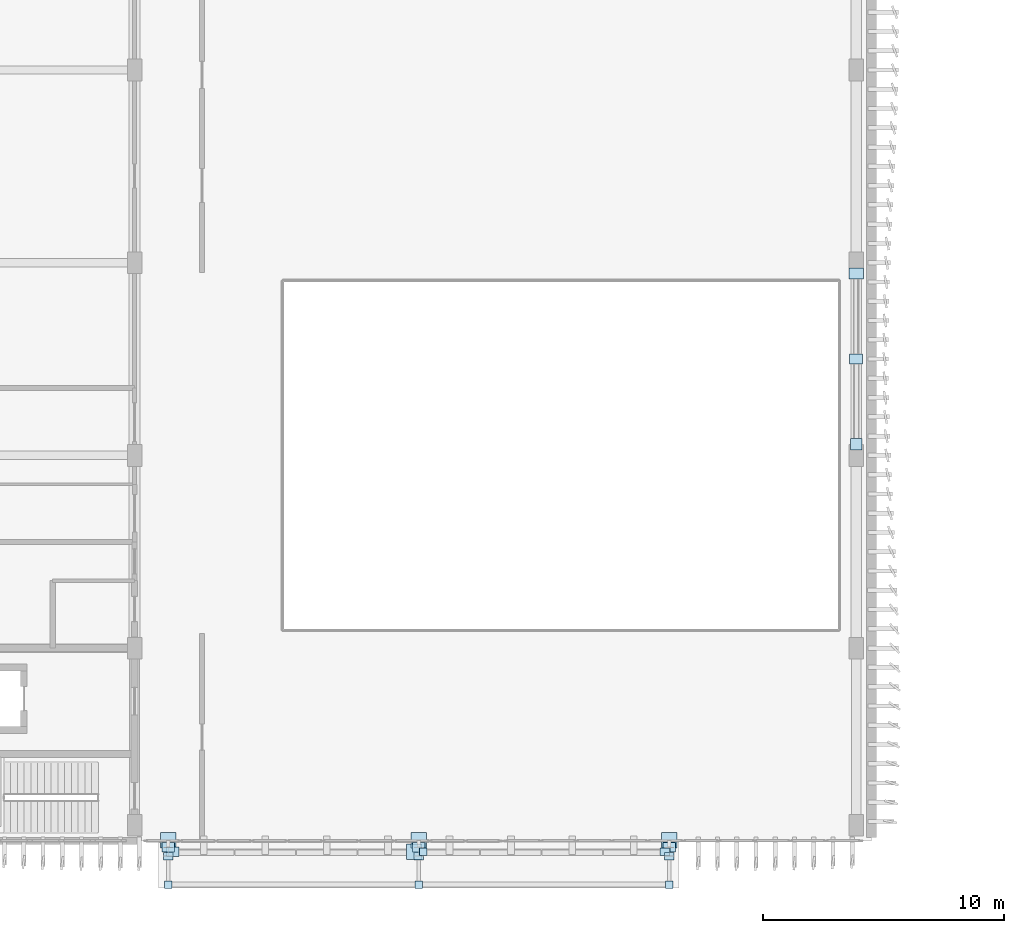
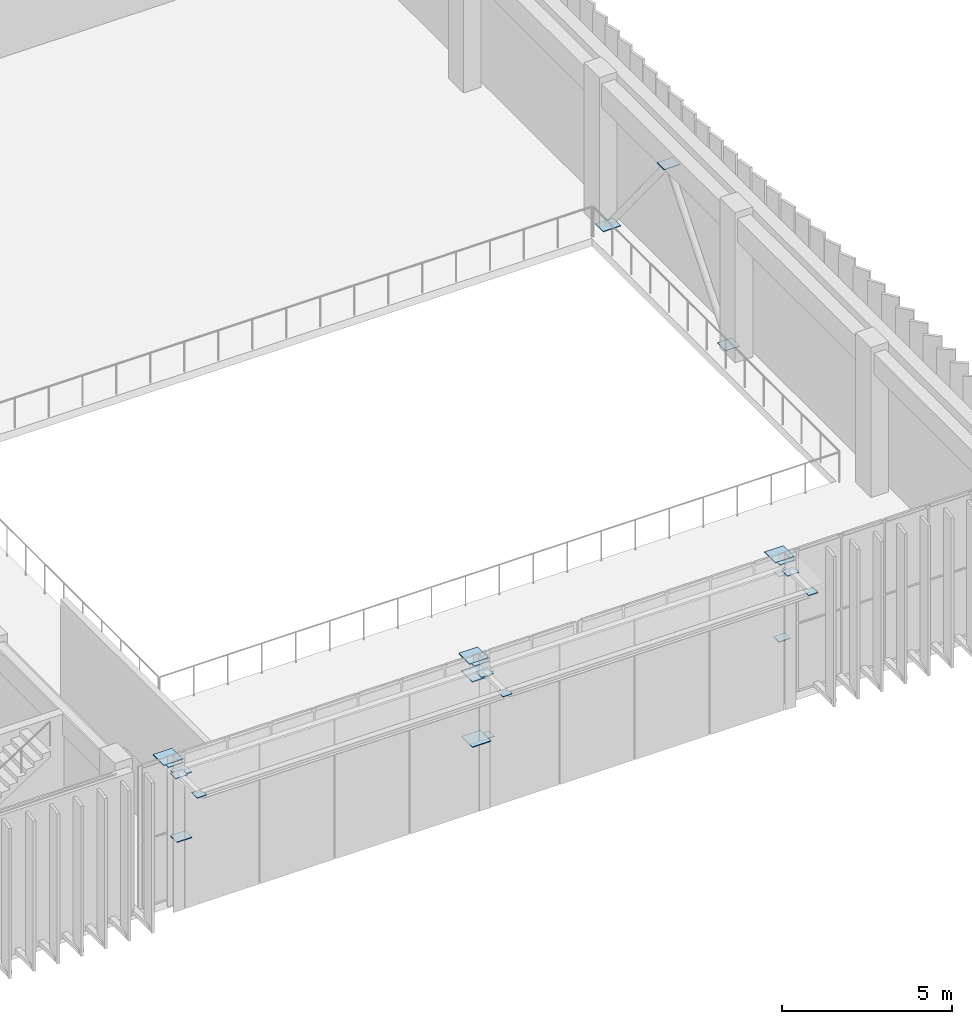
# One storey, part 35 of 64: 23 plates.
"""IFC4 building model written with IfcOpenShell, lengths in metres."""

import ifcopenshell
import ifcopenshell.guid

model = None  # the IFC model being written
_history = None  # IfcOwnerHistory: only IFC2X3 demands one
_inside = {}  # id of a spatial element -> (the spatial element, [elements in it])
_under = {}  # id of a project, library or spatial element -> (it, [spatial elements below it])
_declared = {}  # id of a project -> (the project, [libraries it declares])
_typed = {}  # id of a type object -> (the type object, [elements of that type])
_made_of = {}  # id of a material, layer set ... -> (it, [elements and type objects made of it])


def new_model(schema):
    """Start an empty IFC model of exactly this schema.

    Asked for "IFC4X3", IfcOpenShell would pick the latest addendum, in which some entities
    have other attributes; the version numbers below select the first issue.
    IFC2X3 requires an IfcOwnerHistory on every rooted entity: one is made here for all.
    """
    global model, _history
    if schema == "IFC4X3":
        model = ifcopenshell.file(schema_version=(4, 3, 0, 0))
    else:
        model = ifcopenshell.file(schema=schema)
    _inside.clear()
    _under.clear()
    _declared.clear()
    _typed.clear()
    _made_of.clear()
    _history = None
    if model.schema == "IFC2X3":
        org = make("IfcOrganization", Name="unknown")
        user = make(
            "IfcPersonAndOrganization",
            ThePerson=make("IfcPerson", FamilyName="unknown"),
            TheOrganization=org,
        )
        app = make(
            "IfcApplication",
            ApplicationDeveloper=org,
            Version="unknown",
            ApplicationFullName="unknown",
            ApplicationIdentifier="unknown",
        )
        _history = make(
            "IfcOwnerHistory",
            OwningUser=user,
            OwningApplication=app,
            ChangeAction="ADDED",
            CreationDate=0,
        )
    return model


def make(cls, **values):
    """One entity of the class cls with the attributes given. An attribute that is None is left unset."""
    return model.create_entity(
        cls, **{name: value for name, value in values.items() if value is not None}
    )


def rooted(cls, **values):
    """An entity with a GlobalId (a new one), such as an element, a storey or a relation."""
    return make(cls, GlobalId=ifcopenshell.guid.new(), OwnerHistory=_history, **values)


def si_unit(unit_type, name, prefix=None):
    """IfcSIUnit, for example si_unit("LENGTHUNIT", "METRE", prefix="MILLI")."""
    return make("IfcSIUnit", UnitType=unit_type, Prefix=prefix, Name=name)


def assignment(units):
    """IfcUnitAssignment: the units of a project."""
    return None if units is None else make("IfcUnitAssignment", Units=units)


def point(xyz):
    """IfcCartesianPoint."""
    return None if xyz is None else make("IfcCartesianPoint", Coordinates=xyz)


def direction(xyz):
    """IfcDirection."""
    return None if xyz is None else make("IfcDirection", DirectionRatios=xyz)


def frame(location, z_axis=None, x_axis=None):
    """IfcAxis2Placement3D, a coordinate frame: its origin and axes. An axis left out is left unset."""
    return make(
        "IfcAxis2Placement3D",
        Location=point(location),
        Axis=direction(z_axis),
        RefDirection=direction(x_axis),
    )


def frame_2d(location, x_axis=None):
    """IfcAxis2Placement2D, a coordinate frame in the plane: its origin and x axis."""
    return make(
        "IfcAxis2Placement2D", Location=point(location), RefDirection=direction(x_axis)
    )


def origin():
    """The frame at (0, 0, 0) with its axes left unset."""
    return frame((0.0, 0.0, 0.0))


def origin_2d():
    """The frame at (0, 0) in the plane with its x axis left unset."""
    return frame_2d((0.0, 0.0))


def place(relative_to, where):
    """IfcLocalPlacement: puts the frame where relative to a parent placement (None: the world)."""
    return make(
        "IfcLocalPlacement", PlacementRelTo=relative_to, RelativePlacement=where
    )


def context(
    kind, dimensions, precision=None, world=None, true_north=None, identifier=None
):
    """IfcGeometricRepresentationContext, for example the 3D "Model" context."""
    return make(
        "IfcGeometricRepresentationContext",
        ContextIdentifier=identifier,
        ContextType=kind,
        CoordinateSpaceDimension=dimensions,
        Precision=precision,
        WorldCoordinateSystem=world,
        TrueNorth=true_north,
    )


def subcontext(parent, identifier, kind, view, scale=None):
    """IfcGeometricRepresentationSubContext, for example "Body" below "Model"."""
    return make(
        "IfcGeometricRepresentationSubContext",
        ContextIdentifier=identifier,
        ContextType=kind,
        ParentContext=parent,
        TargetScale=scale,
        TargetView=view,
    )


def project(units=None, contexts=None):
    """IfcProject with its units and contexts."""
    return rooted(
        "IfcProject",
        Name="project",
        RepresentationContexts=contexts,
        UnitsInContext=assignment(units),
    )


def spatial(cls, under=None, at=None, **own):
    """A site, building, storey or space (cls), placed at a placement, below another one or the project."""
    s = rooted(cls, ObjectPlacement=at, **own)
    if under is not None:
        _under.setdefault(under.id(), (under, []))[1].append(s)
    return s


def profile(cls, at=None, kind="AREA", **sizes):
    """A parametric profile (cls). Its sizes go by their IFC names, for example OverallWidth=200.0."""
    return make(cls, ProfileType=kind, Position=at, **sizes)


def rectangle(**sizes):
    """IfcRectangleProfileDef."""
    return profile("IfcRectangleProfileDef", **sizes)


def extrude(swept, where, along, depth):
    """IfcExtrudedAreaSolid: the profile swept, set in the frame where, extruded along a direction by depth."""
    return make(
        "IfcExtrudedAreaSolid",
        SweptArea=swept,
        Position=where,
        ExtrudedDirection=direction(along),
        Depth=depth,
    )


def shape(context_of_items, identifier, shape_type, items):
    """IfcShapeRepresentation: the items that make up one representation, for example the "Body"."""
    return make(
        "IfcShapeRepresentation",
        ContextOfItems=context_of_items,
        RepresentationIdentifier=identifier,
        RepresentationType=shape_type,
        Items=items,
    )


def material(Name=None, Category=None):
    """IfcMaterial."""
    return make("IfcMaterial", Name=Name, Category=Category)


def layer(
    of_material, thickness, ventilated=None, Name=None, Category=None, Priority=None
):
    """IfcMaterialLayer: one layer of a wall or slab, of a material (None: an air gap)."""
    return make(
        "IfcMaterialLayer",
        Material=of_material,
        LayerThickness=thickness,
        IsVentilated=ventilated,
        Name=Name,
        Category=Category,
        Priority=Priority,
    )


def layer_set(layers, Name=None):
    """IfcMaterialLayerSet."""
    return make("IfcMaterialLayerSet", MaterialLayers=layers, LayerSetName=Name)


def made_of(thing, what):
    """Note that an element or type object is made of a material, layer set ...; save() writes the relation."""
    if what is not None:
        _made_of.setdefault(what.id(), (what, []))[1].append(thing)
    return thing


def type_object(cls, material=None, **own):
    """A type object (cls), such as IfcWallType, which elements share."""
    return made_of(rooted(cls, **own), material)


def element(
    cls,
    number,
    at=None,
    inside=None,
    cuts=None,
    type_object=None,
    material=None,
    context=None,
    identifier="Body",
    shape_type=None,
    held_by="IfcProductDefinitionShape",
    body=None,
    shapes=None,
    **own,
):
    """One element of the class cls, such as IfcWall. Its Tag is "e" and its number.

    at: its placement. inside: the storey or other place that contains it. cuts: it is an
    opening in that element (IfcRelVoidsElement). A single representation is given by context,
    identifier, shape_type and body (its items); several are given by shapes. held_by: the class
    of the entity that holds the representations. save() writes the other relations.
    """
    e = rooted(cls, Tag="e%d" % number, ObjectPlacement=at, **own)
    if body is not None:
        shapes = [shape(context, identifier, shape_type, body)]
    if shapes is not None:
        e.Representation = make(held_by, Representations=shapes)
    if inside is not None:
        _inside.setdefault(inside.id(), (inside, []))[1].append(e)
    if cuts is not None:
        rooted(
            "IfcRelVoidsElement", RelatingBuildingElement=cuts, RelatedOpeningElement=e
        )
    if type_object is not None:
        _typed.setdefault(type_object.id(), (type_object, []))[1].append(e)
    return made_of(e, material)


def aggregate(whole, parts):
    """IfcRelAggregates: a whole, such as a stair, and the parts it consists of."""
    return rooted("IfcRelAggregates", RelatingObject=whole, RelatedObjects=parts)


def save(model, path):
    """Write the relations noted so far, then the file.

    IfcRelAggregates (storeys below a building ...), IfcRelContainedInSpatialStructure (elements
    in a storey), IfcRelDefinesByType, IfcRelAssociatesMaterial and IfcRelDeclares: one each for
    every whole, place, type object, material and project.
    """
    for whole, parts in _under.values():
        aggregate(whole, parts)
    for where, things in _inside.values():
        rooted(
            "IfcRelContainedInSpatialStructure",
            RelatedElements=things,
            RelatingStructure=where,
        )
    for kind, things in _typed.values():
        rooted("IfcRelDefinesByType", RelatedObjects=things, RelatingType=kind)
    for what, things in _made_of.values():
        rooted("IfcRelAssociatesMaterial", RelatedObjects=things, RelatingMaterial=what)
    for by, libraries in _declared.values():
        rooted("IfcRelDeclares", RelatingContext=by, RelatedDefinitions=libraries)
    model.write(path)


model = new_model("IFC4")

# Units and contexts
model_context = context("Model", 3, precision=1e-05, world=origin(), true_north=direction((0.0, 1.0)))
body_context = subcontext(model_context, "Body", "Model", "MODEL_VIEW")
ifc_project = project(units=[si_unit("LENGTHUNIT", "METRE"), si_unit("AREAUNIT", "SQUARE_METRE"), si_unit("VOLUMEUNIT", "CUBIC_METRE"), si_unit("PLANEANGLEUNIT", "RADIAN"), si_unit("MASSUNIT", "GRAM", prefix="KILO")], contexts=[model_context])

# Site, building, storey
site_placement = place(None, origin())
site = spatial("IfcSite", under=ifc_project, at=site_placement, CompositionType="ELEMENT")
building_placement = place(site_placement, origin())
building = spatial("IfcBuilding", under=site, at=building_placement, Name="Cinchona Park Media Centre", CompositionType="ELEMENT")
storey_placement = place(building_placement, frame((0.0, 0.0, 10.199951171875)))
storey = spatial("IfcBuildingStorey", under=building, at=storey_placement, Name="L02", CompositionType="ELEMENT", Elevation=10.199951171875)

# Plates
ifc_material_1 = material(Name="Steel S355", Category="steel")
ifc_layer_1 = layer(ifc_material_1, 0.02197265625)
ifc_layer_set_1 = layer_set([ifc_layer_1], Name="Steel S355")
plate_type_1 = type_object("IfcPlateType", Name="PLATE-GP02", PredefinedType="USERDEFINED", material=ifc_layer_set_1)
plate_1_placement = place(storey_placement, frame((45.360107421875, 24.054931640625, -0.005859375), z_axis=(0.0, 0.0, 1.0), x_axis=(1.0, 0.0, 0.0)))
element("IfcPlate", 1, at=plate_1_placement, inside=storey, type_object=plate_type_1, Name="Truss Node Gusset Plate TN2", ObjectType="GUSSET PLATE", PredefinedType="USERDEFINED", context=body_context, shape_type="SweptSolid", body=[
    extrude(rectangle(XDim=0.47998046875, YDim=0.47998046875, at=origin_2d()), origin(), (0.0, 0.0, 1.0), 0.02197265625),
])
ifc_material_2 = material(Name="Steel S355", Category="steel")
ifc_layer_2 = layer(ifc_material_2, 0.02392578125)
ifc_layer_set_2 = layer_set([ifc_layer_2], Name="Steel S355")
plate_type_2 = type_object("IfcPlateType", Name="PLATE-GP03", PredefinedType="USERDEFINED", material=ifc_layer_set_2)
plate_2_placement = place(storey_placement, frame((45.360107421875, 27.60009765625, 4.34814453125), z_axis=(0.0, 0.0, 1.0), x_axis=(1.0, 0.0, 0.0)))
element("IfcPlate", 2, at=plate_2_placement, inside=storey, type_object=plate_type_2, Name="Truss Node Gusset Plate TN2", ObjectType="GUSSET PLATE", PredefinedType="USERDEFINED", context=body_context, shape_type="SweptSolid", body=[
    extrude(rectangle(XDim=0.5400390625, YDim=0.419921875, at=origin_2d()), origin(), (0.0, 0.0, 1.0), 0.02392578125),
])
ifc_material_3 = material(Name="Steel S355", Category="steel")
ifc_layer_3 = layer(ifc_material_3, 0.02587890625)
ifc_layer_set_3 = layer_set([ifc_layer_3], Name="Steel S355")
plate_type_3 = type_object("IfcPlateType", Name="PLATE-GP04", PredefinedType="USERDEFINED", material=ifc_layer_set_3)
plate_3_placement = place(storey_placement, frame((45.360107421875, 31.14501953125, -0.0078125), z_axis=(0.0, 0.0, 1.0), x_axis=(1.0, 0.0, 0.0)))
element("IfcPlate", 3, at=plate_3_placement, inside=storey, type_object=plate_type_3, Name="Truss Node Gusset Plate TN2", ObjectType="GUSSET PLATE", PredefinedType="USERDEFINED", context=body_context, shape_type="SweptSolid", body=[
    extrude(rectangle(XDim=0.60009765625, YDim=0.4599609375, at=origin_2d()), origin(), (0.0, 0.0, 1.0), 0.02587890625),
])
ifc_material_4 = material(Name="Steel S355", Category="steel")
ifc_layer_4 = layer(ifc_material_4, 0.01806640625)
ifc_layer_set_4 = layer_set([ifc_layer_4], Name="Steel S355")
plate_type_4 = type_object("IfcPlateType", Name="PLATE-PL01", PredefinedType="SHEET", material=ifc_layer_set_4)
for number, where, z_axis, x_axis, name in (
    (4, (27.3798828125, 7.14990234375, 2.490966796875), (0.0, 0.0, 1.0), (1.0, 0.0, 0.0), "Hollow Member End Cap Plate PL01"),
    (5, (27.3798828125, 7.14990234375, 4.841064453125), (0.0, 0.0, 1.0), (1.0, 0.0, 0.0), "Hollow Member End Cap Plate PL01"),
    (6, (16.800048828125, 5.780029296875, 4.916015625), (0.0, 0.0, 1.0), (1.0, 0.0, 0.0), "Hollow Member End Cap Plate PL01"),
    (7, (27.199951171875, 5.780029296875, 4.916015625), (0.0, 0.0, 1.0), (1.0, 0.0, 0.0), "Hollow Member End Cap Plate PL01"),
    (8, (37.60009765625, 5.780029296875, 4.916015625), (0.0, 0.0, 1.0), (1.0, 0.0, 0.0), "Hollow Member End Cap Plate PL01"),
):
    element("IfcPlate", number, at=place(storey_placement, frame(where, z_axis=z_axis, x_axis=x_axis)), inside=storey, type_object=plate_type_4, Name=name, PredefinedType="SHEET", context=body_context, shape_type="SweptSolid", body=[
        extrude(rectangle(XDim=0.320068359375, YDim=0.320068359375, at=origin_2d()), origin(), (0.0, 0.0, 1.0), 0.01806640625),
    ])
ifc_material_5 = material(Name="Steel S355", Category="steel")
ifc_layer_5 = layer(ifc_material_5, 0.02001953125)
ifc_layer_set_5 = layer_set([ifc_layer_5], Name="Steel S355")
plate_type_5 = type_object("IfcPlateType", Name="PLATE-PL02", PredefinedType="SHEET", material=ifc_layer_set_5)
for number, where, z_axis, x_axis, name in (
    (9, (37.419921875, 7.14990234375, 2.489990234375), (0.0, 0.0, 1.0), (1.0, 0.0, 0.0), "Hollow Member End Cap Plate PL02"),
    (10, (37.419921875, 7.14990234375, 4.840087890625), (0.0, 0.0, 1.0), (1.0, 0.0, 0.0), "Hollow Member End Cap Plate PL02"),
    (11, (16.800048828125, 6.9599609375, 4.9150390625), (0.0, 0.0, 1.0), (1.0, 0.0, 0.0), "Hollow Member End Cap Plate PL02"),
    (12, (27.199951171875, 6.9599609375, 4.9150390625), (0.0, 0.0, 1.0), (1.0, 0.0, 0.0), "Hollow Member End Cap Plate PL02"),
    (13, (37.60009765625, 6.9599609375, 4.9150390625), (0.0, 0.0, 1.0), (1.0, 0.0, 0.0), "Hollow Member End Cap Plate PL02"),
):
    element("IfcPlate", number, at=place(storey_placement, frame(where, z_axis=z_axis, x_axis=x_axis)), inside=storey, type_object=plate_type_5, Name=name, PredefinedType="SHEET", context=body_context, shape_type="SweptSolid", body=[
        extrude(rectangle(XDim=0.39990234375, YDim=0.320068359375, at=origin_2d()), origin(), (0.0, 0.0, 1.0), 0.02001953125),
    ])
ifc_material_6 = material(Name="Steel S355", Category="steel")
ifc_layer_6 = layer(ifc_material_6, 0.02392578125)
ifc_layer_set_6 = layer_set([ifc_layer_6], Name="Steel S355")
plate_type_6 = type_object("IfcPlateType", Name="PLATE-PL03", PredefinedType="SHEET", material=ifc_layer_set_6)
for number, where, z_axis, x_axis, name in (
    (14, (16.97998046875, 7.14990234375, 2.488037109375), (0.0, 0.0, 1.0), (1.0, 0.0, 0.0), "Hollow Member End Cap Plate PL03"),
    (15, (16.97998046875, 7.14990234375, 4.838134765625), (0.0, 0.0, 1.0), (1.0, 0.0, 0.0), "Hollow Member End Cap Plate PL03"),
    (16, (16.800048828125, 7.340087890625, 5.128173828125), (0.0, 0.0, 1.0), (1.0, 0.0, 0.0), "Hollow Member End Cap Plate PL03"),
    (17, (27.199951171875, 7.340087890625, 5.128173828125), (0.0, 0.0, 1.0), (1.0, 0.0, 0.0), "Hollow Member End Cap Plate PL03"),
    (18, (37.60009765625, 7.340087890625, 5.128173828125), (0.0, 0.0, 1.0), (1.0, 0.0, 0.0), "Hollow Member End Cap Plate PL03"),
):
    element("IfcPlate", number, at=place(storey_placement, frame(where, z_axis=z_axis, x_axis=x_axis)), inside=storey, type_object=plate_type_6, Name=name, PredefinedType="SHEET", context=body_context, shape_type="SweptSolid", body=[
        extrude(rectangle(XDim=0.52001953125, YDim=0.39990234375, at=origin_2d()), origin(), (0.0, 0.0, 1.0), 0.02392578125),
    ])
ifc_material_7 = material(Name="Steel S355", Category="steel")
ifc_layer_7 = layer(ifc_material_7, 0.030029296875)
ifc_layer_set_7 = layer_set([ifc_layer_7], Name="Steel S355")
plate_type_7 = type_object("IfcPlateType", Name="PLATE-PL04", PredefinedType="SHEET", material=ifc_layer_set_7)
for number, where, z_axis, x_axis, name in (
    (19, (27.02001953125, 7.14990234375, 2.48486328125), (0.0, 0.0, 1.0), (1.0, 0.0, 0.0), "Hollow Member End Cap Plate PL04"),
    (20, (27.02001953125, 7.14990234375, 4.8349609375), (0.0, 0.0, 1.0), (1.0, 0.0, 0.0), "Hollow Member End Cap Plate PL04"),
    (21, (16.800048828125, 7.6201171875, 5.125), (0.0, 0.0, 1.0), (1.0, 0.0, 0.0), "Hollow Member End Cap Plate PL04"),
    (22, (27.199951171875, 7.6201171875, 5.125), (0.0, 0.0, 1.0), (1.0, 0.0, 0.0), "Hollow Member End Cap Plate PL04"),
    (23, (37.60009765625, 7.6201171875, 5.125), (0.0, 0.0, 1.0), (1.0, 0.0, 0.0), "Hollow Member End Cap Plate PL04"),
):
    element("IfcPlate", number, at=place(storey_placement, frame(where, z_axis=z_axis, x_axis=x_axis)), inside=storey, type_object=plate_type_7, Name=name, PredefinedType="SHEET", context=body_context, shape_type="SweptSolid", body=[
        extrude(rectangle(XDim=0.639892578125, YDim=0.639892578125, at=origin_2d()), origin(), (0.0, 0.0, 1.0), 0.030029296875),
    ])

save(model, "model.ifc")
